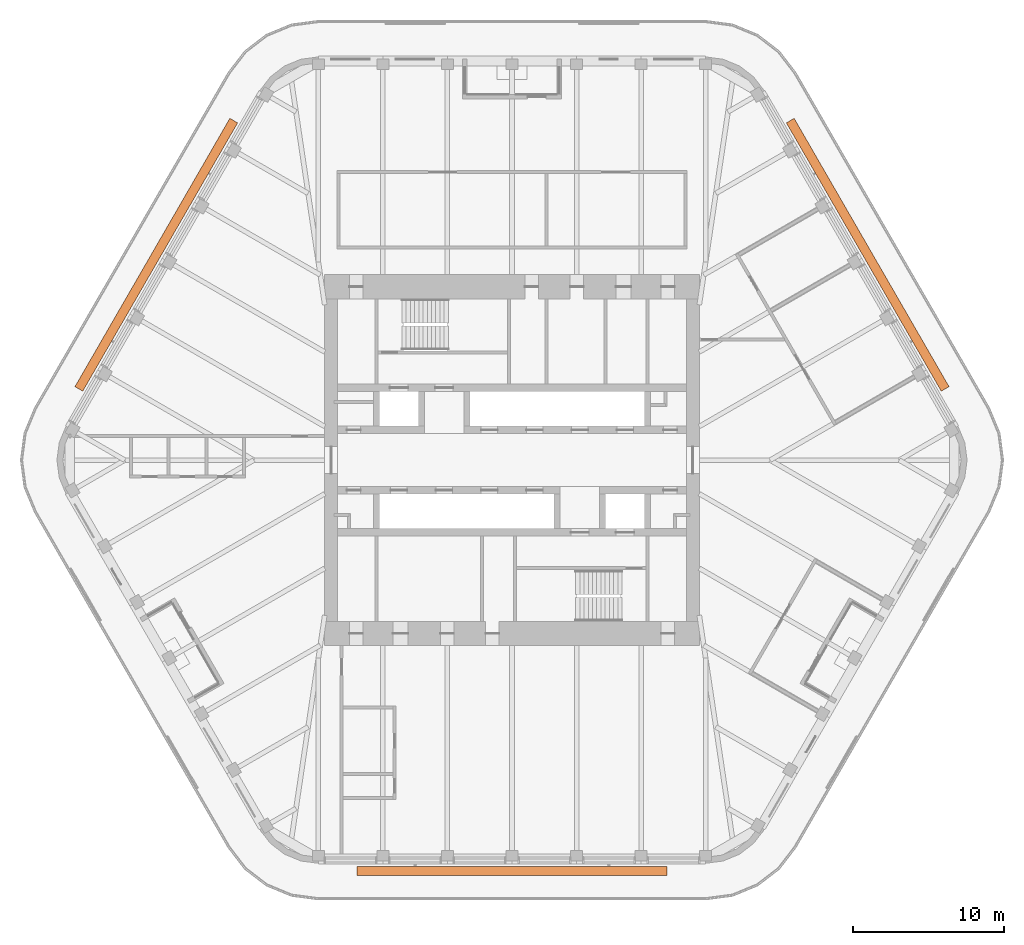
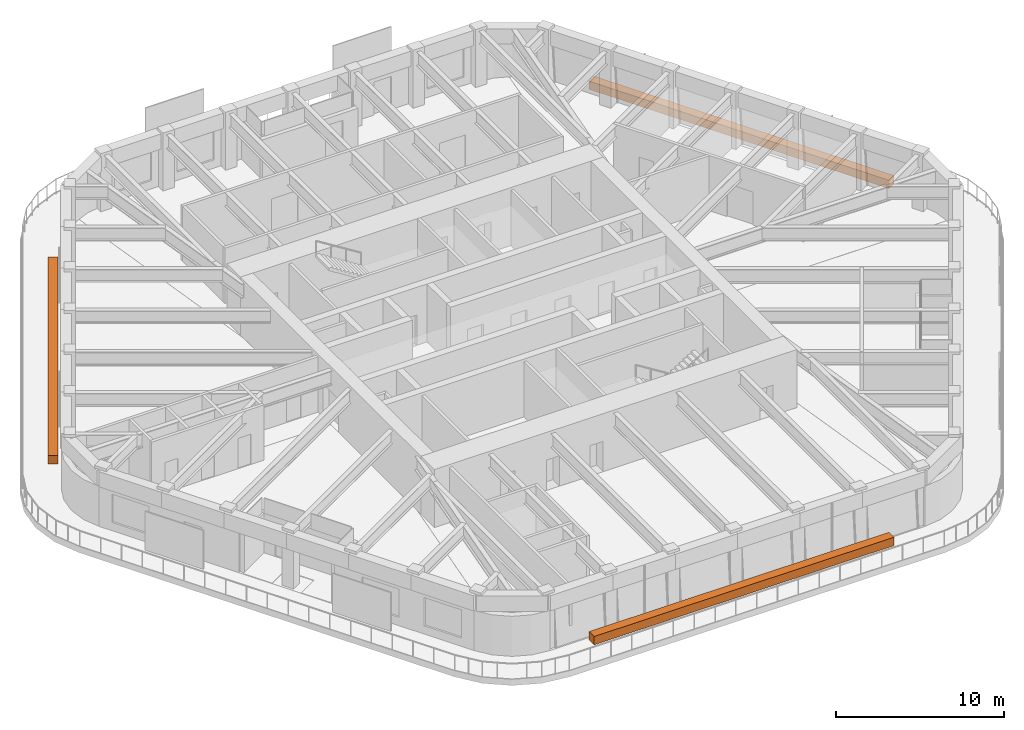
# One storey, part 19 of 19: 3 proxies.
"""IFC4 building model written with IfcOpenShell, lengths in metres."""

import ifcopenshell
import ifcopenshell.guid

model = None  # the IFC model being written
_history = None  # IfcOwnerHistory: only IFC2X3 demands one
_inside = {}  # id of a spatial element -> (the spatial element, [elements in it])
_under = {}  # id of a project, library or spatial element -> (it, [spatial elements below it])
_declared = {}  # id of a project -> (the project, [libraries it declares])
_typed = {}  # id of a type object -> (the type object, [elements of that type])
_made_of = {}  # id of a material, layer set ... -> (it, [elements and type objects made of it])


def new_model(schema):
    """Start an empty IFC model of exactly this schema.

    Asked for "IFC4X3", IfcOpenShell would pick the latest addendum, in which some entities
    have other attributes; the version numbers below select the first issue.
    IFC2X3 requires an IfcOwnerHistory on every rooted entity: one is made here for all.
    """
    global model, _history
    if schema == "IFC4X3":
        model = ifcopenshell.file(schema_version=(4, 3, 0, 0))
    else:
        model = ifcopenshell.file(schema=schema)
    _inside.clear()
    _under.clear()
    _declared.clear()
    _typed.clear()
    _made_of.clear()
    _history = None
    if model.schema == "IFC2X3":
        org = make("IfcOrganization", Name="unknown")
        user = make(
            "IfcPersonAndOrganization",
            ThePerson=make("IfcPerson", FamilyName="unknown"),
            TheOrganization=org,
        )
        app = make(
            "IfcApplication",
            ApplicationDeveloper=org,
            Version="unknown",
            ApplicationFullName="unknown",
            ApplicationIdentifier="unknown",
        )
        _history = make(
            "IfcOwnerHistory",
            OwningUser=user,
            OwningApplication=app,
            ChangeAction="ADDED",
            CreationDate=0,
        )
    return model


def make(cls, **values):
    """One entity of the class cls with the attributes given. An attribute that is None is left unset."""
    return model.create_entity(
        cls, **{name: value for name, value in values.items() if value is not None}
    )


def rooted(cls, **values):
    """An entity with a GlobalId (a new one), such as an element, a storey or a relation."""
    return make(cls, GlobalId=ifcopenshell.guid.new(), OwnerHistory=_history, **values)


def si_unit(unit_type, name, prefix=None):
    """IfcSIUnit, for example si_unit("LENGTHUNIT", "METRE", prefix="MILLI")."""
    return make("IfcSIUnit", UnitType=unit_type, Prefix=prefix, Name=name)


def assignment(units):
    """IfcUnitAssignment: the units of a project."""
    return None if units is None else make("IfcUnitAssignment", Units=units)


def point(xyz):
    """IfcCartesianPoint."""
    return None if xyz is None else make("IfcCartesianPoint", Coordinates=xyz)


def direction(xyz):
    """IfcDirection."""
    return None if xyz is None else make("IfcDirection", DirectionRatios=xyz)


def frame(location, z_axis=None, x_axis=None):
    """IfcAxis2Placement3D, a coordinate frame: its origin and axes. An axis left out is left unset."""
    return make(
        "IfcAxis2Placement3D",
        Location=point(location),
        Axis=direction(z_axis),
        RefDirection=direction(x_axis),
    )


def frame_2d(location, x_axis=None):
    """IfcAxis2Placement2D, a coordinate frame in the plane: its origin and x axis."""
    return make(
        "IfcAxis2Placement2D", Location=point(location), RefDirection=direction(x_axis)
    )


def origin():
    """The frame at (0, 0, 0) with its axes left unset."""
    return frame((0.0, 0.0, 0.0))


def origin_2d():
    """The frame at (0, 0) in the plane with its x axis left unset."""
    return frame_2d((0.0, 0.0))


def place(relative_to, where):
    """IfcLocalPlacement: puts the frame where relative to a parent placement (None: the world)."""
    return make(
        "IfcLocalPlacement", PlacementRelTo=relative_to, RelativePlacement=where
    )


def context(
    kind, dimensions, precision=None, world=None, true_north=None, identifier=None
):
    """IfcGeometricRepresentationContext, for example the 3D "Model" context."""
    return make(
        "IfcGeometricRepresentationContext",
        ContextIdentifier=identifier,
        ContextType=kind,
        CoordinateSpaceDimension=dimensions,
        Precision=precision,
        WorldCoordinateSystem=world,
        TrueNorth=true_north,
    )


def subcontext(parent, identifier, kind, view, scale=None):
    """IfcGeometricRepresentationSubContext, for example "Body" below "Model"."""
    return make(
        "IfcGeometricRepresentationSubContext",
        ContextIdentifier=identifier,
        ContextType=kind,
        ParentContext=parent,
        TargetScale=scale,
        TargetView=view,
    )


def project(units=None, contexts=None):
    """IfcProject with its units and contexts."""
    return rooted(
        "IfcProject",
        Name="project",
        RepresentationContexts=contexts,
        UnitsInContext=assignment(units),
    )


def spatial(cls, under=None, at=None, **own):
    """A site, building, storey or space (cls), placed at a placement, below another one or the project."""
    s = rooted(cls, ObjectPlacement=at, **own)
    if under is not None:
        _under.setdefault(under.id(), (under, []))[1].append(s)
    return s


def profile(cls, at=None, kind="AREA", **sizes):
    """A parametric profile (cls). Its sizes go by their IFC names, for example OverallWidth=200.0."""
    return make(cls, ProfileType=kind, Position=at, **sizes)


def rectangle(**sizes):
    """IfcRectangleProfileDef."""
    return profile("IfcRectangleProfileDef", **sizes)


def extrude(swept, where, along, depth):
    """IfcExtrudedAreaSolid: the profile swept, set in the frame where, extruded along a direction by depth."""
    return make(
        "IfcExtrudedAreaSolid",
        SweptArea=swept,
        Position=where,
        ExtrudedDirection=direction(along),
        Depth=depth,
    )


def shape(context_of_items, identifier, shape_type, items):
    """IfcShapeRepresentation: the items that make up one representation, for example the "Body"."""
    return make(
        "IfcShapeRepresentation",
        ContextOfItems=context_of_items,
        RepresentationIdentifier=identifier,
        RepresentationType=shape_type,
        Items=items,
    )


def material(Name=None, Category=None):
    """IfcMaterial."""
    return make("IfcMaterial", Name=Name, Category=Category)


def made_of(thing, what):
    """Note that an element or type object is made of a material, layer set ...; save() writes the relation."""
    if what is not None:
        _made_of.setdefault(what.id(), (what, []))[1].append(thing)
    return thing


def element(
    cls,
    number,
    at=None,
    inside=None,
    cuts=None,
    type_object=None,
    material=None,
    context=None,
    identifier="Body",
    shape_type=None,
    held_by="IfcProductDefinitionShape",
    body=None,
    shapes=None,
    **own,
):
    """One element of the class cls, such as IfcWall. Its Tag is "e" and its number.

    at: its placement. inside: the storey or other place that contains it. cuts: it is an
    opening in that element (IfcRelVoidsElement). A single representation is given by context,
    identifier, shape_type and body (its items); several are given by shapes. held_by: the class
    of the entity that holds the representations. save() writes the other relations.
    """
    e = rooted(cls, Tag="e%d" % number, ObjectPlacement=at, **own)
    if body is not None:
        shapes = [shape(context, identifier, shape_type, body)]
    if shapes is not None:
        e.Representation = make(held_by, Representations=shapes)
    if inside is not None:
        _inside.setdefault(inside.id(), (inside, []))[1].append(e)
    if cuts is not None:
        rooted(
            "IfcRelVoidsElement", RelatingBuildingElement=cuts, RelatedOpeningElement=e
        )
    if type_object is not None:
        _typed.setdefault(type_object.id(), (type_object, []))[1].append(e)
    return made_of(e, material)


def aggregate(whole, parts):
    """IfcRelAggregates: a whole, such as a stair, and the parts it consists of."""
    return rooted("IfcRelAggregates", RelatingObject=whole, RelatedObjects=parts)


def save(model, path):
    """Write the relations noted so far, then the file.

    IfcRelAggregates (storeys below a building ...), IfcRelContainedInSpatialStructure (elements
    in a storey), IfcRelDefinesByType, IfcRelAssociatesMaterial and IfcRelDeclares: one each for
    every whole, place, type object, material and project.
    """
    for whole, parts in _under.values():
        aggregate(whole, parts)
    for where, things in _inside.values():
        rooted(
            "IfcRelContainedInSpatialStructure",
            RelatedElements=things,
            RelatingStructure=where,
        )
    for kind, things in _typed.values():
        rooted("IfcRelDefinesByType", RelatedObjects=things, RelatingType=kind)
    for what, things in _made_of.values():
        rooted("IfcRelAssociatesMaterial", RelatedObjects=things, RelatingMaterial=what)
    for by, libraries in _declared.values():
        rooted("IfcRelDeclares", RelatingContext=by, RelatedDefinitions=libraries)
    model.write(path)


model = new_model("IFC4")

# Units and contexts
model_context = context("Model", 3, precision=1e-05, world=origin(), true_north=direction((0.0, 1.0)))
body_context = subcontext(model_context, "Body", "Model", "MODEL_VIEW")
ifc_project = project(units=[si_unit("LENGTHUNIT", "METRE"), si_unit("AREAUNIT", "SQUARE_METRE"), si_unit("VOLUMEUNIT", "CUBIC_METRE"), si_unit("PLANEANGLEUNIT", "RADIAN"), si_unit("MASSUNIT", "GRAM", prefix="KILO")], contexts=[model_context])

# Site, building, storey
site_placement = place(None, origin())
site = spatial("IfcSite", under=ifc_project, at=site_placement, CompositionType="ELEMENT")
building_placement = place(site_placement, origin())
building = spatial("IfcBuilding", under=site, at=building_placement, Name="Tarfa Lantern Tower", CompositionType="ELEMENT")
storey_placement = place(building_placement, frame((0.0, 0.0, 387.10009765625)))
storey = spatial("IfcBuildingStorey", under=building, at=storey_placement, Name="L88", CompositionType="ELEMENT", Elevation=387.10009765625)

# Proxies
ifc_material = material(Name="Planting bed")
for number, where, z_axis, x_axis, name in (
    (1, (23.59912109375, 13.625, -0.000244140625), (0.0, 0.0, 1.0), (-0.5, 0.866025403784, 0.0), "Balcony planter"),
    (2, (-23.59912109375, 13.625, -0.000244140625), (0.0, 0.0, 1.0), (-0.5, -0.866025403784, 0.0), "Balcony planter"),
    (3, (0.0, -27.25, -0.000244140625), (0.0, 0.0, 1.0), (1.0, 0.0, 0.0), "Balcony planter"),
):
    element("IfcBuildingElementProxy", number, at=place(storey_placement, frame(where, z_axis=z_axis, x_axis=x_axis)), inside=storey, material=ifc_material, Name=name, ObjectType="PLANTER", PredefinedType="USERDEFINED", context=body_context, shape_type="SweptSolid", body=[
        extrude(rectangle(XDim=20.5537109375, YDim=0.60009765625, at=origin_2d()), origin(), (0.0, 0.0, 1.0), 0.60009765625),
    ])

save(model, "model.ifc")
